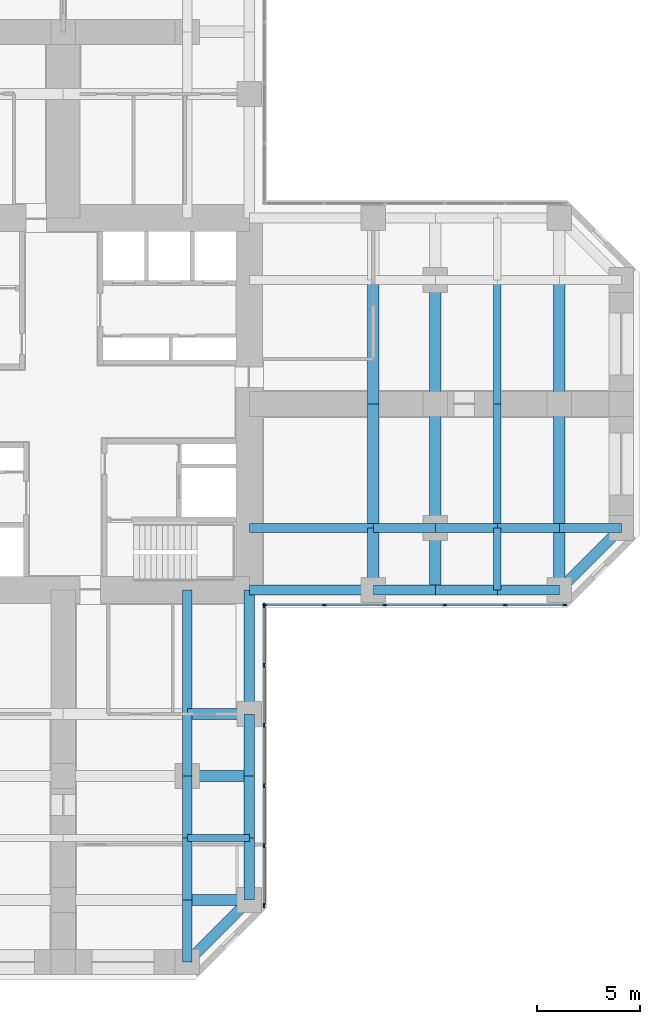
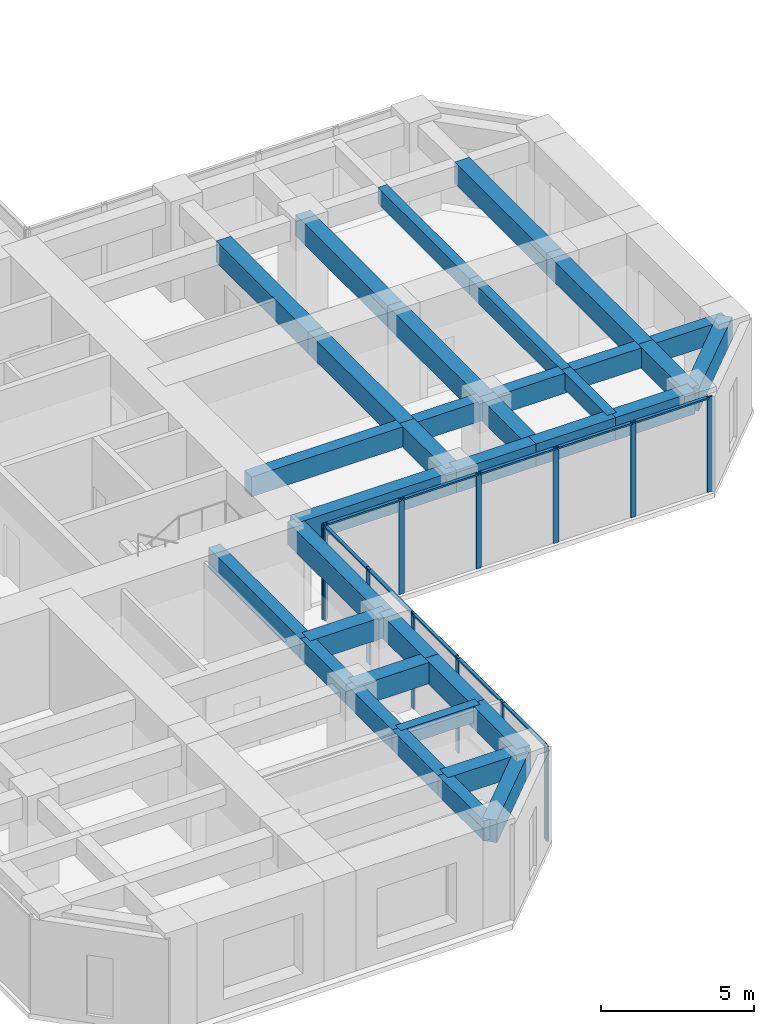
# One storey, part 4 of 12: 36 beams, 22 members, 2 elements without a shape of their own.
"""IFC4 building model written with IfcOpenShell, lengths in metres."""

from ifc_helpers import new_model, si_unit, direction, frame, origin, origin_2d, place, context, subcontext, project, spatial, rectangle, extrude, material, material_profile, profile_set, type_object, element, aggregate, save


model = new_model("IFC4")

# Units and contexts
model_context = context("Model", 3, precision=1e-05, world=origin(), true_north=direction((0.0, 1.0)))
body_context = subcontext(model_context, "Body", "Model", "MODEL_VIEW")
ifc_project = project(units=[si_unit("LENGTHUNIT", "METRE"), si_unit("AREAUNIT", "SQUARE_METRE"), si_unit("VOLUMEUNIT", "CUBIC_METRE"), si_unit("PLANEANGLEUNIT", "RADIAN"), si_unit("MASSUNIT", "GRAM", prefix="KILO")], contexts=[model_context])

# Site, building, storey
site_placement = place(None, origin())
site = spatial("IfcSite", under=ifc_project, at=site_placement, CompositionType="ELEMENT")
building_placement = place(site_placement, origin())
building = spatial("IfcBuilding", under=site, at=building_placement, Name="Torre Cruceta", CompositionType="ELEMENT")
storey_placement = place(building_placement, frame((0.0, 0.0, 71.5)))
storey = spatial("IfcBuildingStorey", under=building, at=storey_placement, Name="L17", CompositionType="ELEMENT", Elevation=71.5)

# Beams
ifc_material_1 = material(Name="Concrete G60 (fck 60 MPa)", Category="concrete")
ifc_material_profile_1 = material_profile(ifc_material_1, rectangle(XDim=0.449951171875, YDim=0.800048828125, at=origin_2d()), Name="RC 450X800")
ifc_profile_set_1 = profile_set([ifc_material_profile_1], Name="Concrete G60 (fck 60 MPa)")
beam_type_1 = type_object("IfcBeamType", Name="COLUMN LINE BEAM RC 450X800", PredefinedType="BEAM", material=ifc_profile_set_1)
beam_1_placement = place(storey_placement, frame((9.0, -6.0, 3.39990234375), z_axis=(1.0, 0.0, 0.0), x_axis=(0.0, 1.0, 0.0)))
element("IfcBeam", 1, at=beam_1_placement, inside=storey, type_object=beam_type_1, Name="LB1 L17 E col- 1", PredefinedType="BEAM", context=body_context, shape_type="SweptSolid", body=[
    extrude(rectangle(XDim=0.449951171875, YDim=0.800048828125, at=origin_2d()), origin(), (0.0, 0.0, 1.0), 6.0),
])
for number, where, z_axis, x_axis, name in (
    (2, (15.0, -6.0, 3.39990234375), (1.0, 0.0, 0.0), (0.0, 1.0, 0.0), "LB1 L17 E col- 2"),
    (3, (18.0, -6.0, 3.39990234375), (1.0, 0.0, 0.0), (0.0, 1.0, 0.0), "LB1 L17 E col- 3"),
    (4, (21.0, -6.0, 3.39990234375), (1.0, 0.0, 0.0), (0.0, 1.0, 0.0), "LB1 L17 E col- 4"),
    (5, (24.0, -6.0, 3.39990234375), (1.0, 0.0, 0.0), (0.0, 1.0, 0.0), "LB1 L17 E col- 5"),
):
    element("IfcBeam", number, at=place(storey_placement, frame(where, z_axis=z_axis, x_axis=x_axis)), inside=storey, type_object=beam_type_1, Name=name, PredefinedType="BEAM", context=body_context, shape_type="SweptSolid", body=[
        extrude(rectangle(XDim=0.449951171875, YDim=0.800048828125, at=origin_2d()), origin(), (0.0, 0.0, 1.0), 3.0),
    ])
beam_2_placement = place(storey_placement, frame((6.0, -9.0, 3.39990234375), z_axis=(0.0, -1.0, 0.0), x_axis=(1.0, 0.0, 0.0)))
element("IfcBeam", 6, at=beam_2_placement, inside=storey, type_object=beam_type_1, Name="LB1 L17 S col+ 1", PredefinedType="BEAM", context=body_context, shape_type="SweptSolid", body=[
    extrude(rectangle(XDim=0.449951171875, YDim=0.800048828125, at=origin_2d()), origin(), (0.0, 0.0, 1.0), 6.0),
])
for number, where, z_axis, x_axis, name in (
    (7, (6.0, -15.0, 3.39990234375), (0.0, -1.0, 0.0), (1.0, 0.0, 0.0), "LB1 L17 S col+ 2"),
    (8, (6.0, -18.0, 3.39990234375), (0.0, -1.0, 0.0), (1.0, 0.0, 0.0), "LB1 L17 S col+ 3"),
    (9, (6.0, -21.0, 3.39990234375), (0.0, -1.0, 0.0), (1.0, 0.0, 0.0), "LB1 L17 S col+ 4"),
    (10, (6.0, -24.0, 3.39990234375), (0.0, -1.0, 0.0), (1.0, 0.0, 0.0), "LB1 L17 S col+ 5"),
):
    element("IfcBeam", number, at=place(storey_placement, frame(where, z_axis=z_axis, x_axis=x_axis)), inside=storey, type_object=beam_type_1, Name=name, PredefinedType="BEAM", context=body_context, shape_type="SweptSolid", body=[
        extrude(rectangle(XDim=0.449951171875, YDim=0.800048828125, at=origin_2d()), origin(), (0.0, 0.0, 1.0), 3.0),
    ])
ifc_material_2 = material(Name="Concrete G60 (fck 60 MPa)", Category="concrete")
ifc_material_profile_2 = material_profile(ifc_material_2, rectangle(XDim=0.550048828125, YDim=0.85009765625, at=origin_2d()), Name="RC 550X850")
ifc_profile_set_2 = profile_set([ifc_material_profile_2], Name="Concrete G60 (fck 60 MPa)")
beam_type_2 = type_object("IfcBeamType", Name="CROSS BEAM RC 550X850", PredefinedType="BEAM", material=ifc_profile_set_2)
beam_3_placement = place(storey_placement, frame((15.0, -9.0, 3.375), z_axis=(0.0, 1.0, 0.0), x_axis=(-1.0, 0.0, 0.0)))
element("IfcBeam", 11, at=beam_3_placement, inside=storey, type_object=beam_type_2, Name="GB4 L17 E cross15 1", PredefinedType="BEAM", context=body_context, shape_type="SweptSolid", body=[
    extrude(rectangle(XDim=0.550048828125, YDim=0.85009765625, at=origin_2d()), origin(), (0.0, 0.0, 1.0), 3.0),
])
for number, where, z_axis, x_axis, name in (
    (12, (15.0, -6.0, 3.375), (0.0, 1.0, 0.0), (-1.0, 0.0, 0.0), "GB4 L17 E cross15 2"),
    (13, (15.0, 0.0, 3.375), (0.0, 1.0, 0.0), (-1.0, 0.0, 0.0), "GB4 L17 E cross15 3"),
):
    element("IfcBeam", number, at=place(storey_placement, frame(where, z_axis=z_axis, x_axis=x_axis)), inside=storey, type_object=beam_type_2, Name=name, PredefinedType="BEAM", context=body_context, shape_type="SweptSolid", body=[
        extrude(rectangle(XDim=0.550048828125, YDim=0.85009765625, at=origin_2d()), origin(), (0.0, 0.0, 1.0), 6.0),
    ])
beam_4_placement = place(storey_placement, frame((18.0, -9.0, 3.375), z_axis=(0.0, 1.0, 0.0), x_axis=(-1.0, 0.0, 0.0)))
element("IfcBeam", 14, at=beam_4_placement, inside=storey, type_object=beam_type_2, Name="GB4 L17 E cross18 1", PredefinedType="BEAM", context=body_context, shape_type="SweptSolid", body=[
    extrude(rectangle(XDim=0.550048828125, YDim=0.85009765625, at=origin_2d()), origin(), (0.0, 0.0, 1.0), 3.0),
])
for number, where, z_axis, x_axis, name in (
    (15, (18.0, -6.0, 3.375), (0.0, 1.0, 0.0), (-1.0, 0.0, 0.0), "GB4 L17 E cross18 2"),
    (16, (18.0, 0.0, 3.375), (0.0, 1.0, 0.0), (-1.0, 0.0, 0.0), "GB4 L17 E cross18 3"),
):
    element("IfcBeam", number, at=place(storey_placement, frame(where, z_axis=z_axis, x_axis=x_axis)), inside=storey, type_object=beam_type_2, Name=name, PredefinedType="BEAM", context=body_context, shape_type="SweptSolid", body=[
        extrude(rectangle(XDim=0.550048828125, YDim=0.85009765625, at=origin_2d()), origin(), (0.0, 0.0, 1.0), 6.0),
    ])
beam_5_placement = place(storey_placement, frame((24.0, -9.0, 3.375), z_axis=(0.0, 1.0, 0.0), x_axis=(-1.0, 0.0, 0.0)))
element("IfcBeam", 17, at=beam_5_placement, inside=storey, type_object=beam_type_2, Name="GB4 L17 E cross24 1", PredefinedType="BEAM", context=body_context, shape_type="SweptSolid", body=[
    extrude(rectangle(XDim=0.550048828125, YDim=0.85009765625, at=origin_2d()), origin(), (0.0, 0.0, 1.0), 3.0),
])
for number, where, z_axis, x_axis, name in (
    (18, (24.0, -6.0, 3.375), (0.0, 1.0, 0.0), (-1.0, 0.0, 0.0), "GB4 L17 E cross24 2"),
    (19, (24.0, 0.0, 3.375), (0.0, 1.0, 0.0), (-1.0, 0.0, 0.0), "GB4 L17 E cross24 3"),
):
    element("IfcBeam", number, at=place(storey_placement, frame(where, z_axis=z_axis, x_axis=x_axis)), inside=storey, type_object=beam_type_2, Name=name, PredefinedType="BEAM", context=body_context, shape_type="SweptSolid", body=[
        extrude(rectangle(XDim=0.550048828125, YDim=0.85009765625, at=origin_2d()), origin(), (0.0, 0.0, 1.0), 6.0),
    ])
for number, where, z_axis, x_axis, name in (
    (20, (6.0, -15.0, 3.375), (1.0, 0.0, 0.0), (0.0, 1.0, 0.0), "GB4 L17 S cross15 4"),
    (21, (6.0, -18.0, 3.375), (1.0, 0.0, 0.0), (0.0, 1.0, 0.0), "GB4 L17 S cross18 4"),
    (22, (6.0, -24.0, 3.375), (1.0, 0.0, 0.0), (0.0, 1.0, 0.0), "GB4 L17 S cross24 4"),
):
    element("IfcBeam", number, at=place(storey_placement, frame(where, z_axis=z_axis, x_axis=x_axis)), inside=storey, type_object=beam_type_2, Name=name, PredefinedType="BEAM", context=body_context, shape_type="SweptSolid", body=[
        extrude(rectangle(XDim=0.550048828125, YDim=0.85009765625, at=origin_2d()), origin(), (0.0, 0.0, 1.0), 3.0),
    ])

# Curtain wall, members
ifc_material_3 = material(Name="Aluminium unitised curtain wall", Category="aluminium")
curtain_wall_type = type_object("IfcCurtainWallType", Name="CURTAIN WALL CW-A OFFICE LOW RISE", PredefinedType="USERDEFINED", material=ifc_material_3)
curtain_wall_1_placement = place(storey_placement, origin())
curtain_wall_1 = element("IfcCurtainWall", 23, at=curtain_wall_1_placement, inside=storey, type_object=curtain_wall_type, Name="CW-A L17 E side 00", ObjectType="UNITISED", PredefinedType="USERDEFINED")
ifc_material_4 = material(Name="Aluminium mullion", Category="aluminium")
ifc_material_profile_3 = material_profile(ifc_material_4, rectangle(XDim=0.06494140625, YDim=0.199951171875, at=origin_2d()), Name="AL 65X200")
ifc_profile_set_3 = profile_set([ifc_material_profile_3], Name="Aluminium mullion")
member_type_1 = type_object("IfcMemberType", Name="CW-A MULLION 65X200", PredefinedType="MULLION", material=ifc_profile_set_3)
member_1_placement = place(storey_placement, frame((9.75244140625, -9.719970703125, 0.0), z_axis=(0.0, 0.0, 1.0), x_axis=(0.0, 1.0, 0.0)))
member_1 = element("IfcMember", 24, at=member_1_placement, type_object=member_type_1, Name="CW-A mullion 1", PredefinedType="MULLION", context=body_context, shape_type="SweptSolid", body=[
    extrude(rectangle(XDim=0.06494140625, YDim=0.199951171875, at=origin_2d()), origin(), (0.0, 0.0, 1.0), 3.800048828125),
])
member_2_placement = place(storey_placement, frame((12.6357421875, -9.719970703125, 0.0), z_axis=(0.0, 0.0, 1.0), x_axis=(0.0, 1.0, 0.0)))
member_2 = element("IfcMember", 25, at=member_2_placement, type_object=member_type_1, Name="CW-A mullion 2", PredefinedType="MULLION", context=body_context, shape_type="SweptSolid", body=[
    extrude(rectangle(XDim=0.06494140625, YDim=0.199951171875, at=origin_2d()), origin(), (0.0, 0.0, 1.0), 3.800048828125),
])
member_3_placement = place(storey_placement, frame((15.55126953125, -9.719970703125, 0.0), z_axis=(0.0, 0.0, 1.0), x_axis=(0.0, 1.0, 0.0)))
member_3 = element("IfcMember", 26, at=member_3_placement, type_object=member_type_1, Name="CW-A mullion 3", PredefinedType="MULLION", context=body_context, shape_type="SweptSolid", body=[
    extrude(rectangle(XDim=0.06494140625, YDim=0.199951171875, at=origin_2d()), origin(), (0.0, 0.0, 1.0), 3.800048828125),
])
member_4_placement = place(storey_placement, frame((18.467041015625, -9.719970703125, 0.0), z_axis=(0.0, 0.0, 1.0), x_axis=(0.0, 1.0, 0.0)))
member_4 = element("IfcMember", 27, at=member_4_placement, type_object=member_type_1, Name="CW-A mullion 4", PredefinedType="MULLION", context=body_context, shape_type="SweptSolid", body=[
    extrude(rectangle(XDim=0.06494140625, YDim=0.199951171875, at=origin_2d()), origin(), (0.0, 0.0, 1.0), 3.800048828125),
])
member_5_placement = place(storey_placement, frame((21.382568359375, -9.719970703125, 0.0), z_axis=(0.0, 0.0, 1.0), x_axis=(0.0, 1.0, 0.0)))
member_5 = element("IfcMember", 28, at=member_5_placement, type_object=member_type_1, Name="CW-A mullion 5", PredefinedType="MULLION", context=body_context, shape_type="SweptSolid", body=[
    extrude(rectangle(XDim=0.06494140625, YDim=0.199951171875, at=origin_2d()), origin(), (0.0, 0.0, 1.0), 3.800048828125),
])
member_6_placement = place(storey_placement, frame((24.265625, -9.719970703125, 0.0), z_axis=(0.0, 0.0, 1.0), x_axis=(0.0, 1.0, 0.0)))
member_6 = element("IfcMember", 29, at=member_6_placement, type_object=member_type_1, Name="CW-A mullion 6", PredefinedType="MULLION", context=body_context, shape_type="SweptSolid", body=[
    extrude(rectangle(XDim=0.06494140625, YDim=0.199951171875, at=origin_2d()), origin(), (0.0, 0.0, 1.0), 3.800048828125),
])

curtain_wall_2_placement = place(storey_placement, origin())
curtain_wall_2 = element("IfcCurtainWall", 30, at=curtain_wall_2_placement, inside=storey, type_object=curtain_wall_type, Name="CW-A L17 S side 19", ObjectType="UNITISED", PredefinedType="USERDEFINED")
member_7_placement = place(storey_placement, frame((9.719970703125, -24.265625, 0.0), z_axis=(0.0, 0.0, 1.0), x_axis=(-1.0, 0.0, 0.0)))
member_7 = element("IfcMember", 31, at=member_7_placement, type_object=member_type_1, Name="CW-A mullion 1", PredefinedType="MULLION", context=body_context, shape_type="SweptSolid", body=[
    extrude(rectangle(XDim=0.06494140625, YDim=0.199951171875, at=origin_2d()), origin(), (0.0, 0.0, 1.0), 3.800048828125),
])
member_8_placement = place(storey_placement, frame((9.719970703125, -21.382568359375, 0.0), z_axis=(0.0, 0.0, 1.0), x_axis=(-1.0, 0.0, 0.0)))
member_8 = element("IfcMember", 32, at=member_8_placement, type_object=member_type_1, Name="CW-A mullion 2", PredefinedType="MULLION", context=body_context, shape_type="SweptSolid", body=[
    extrude(rectangle(XDim=0.06494140625, YDim=0.199951171875, at=origin_2d()), origin(), (0.0, 0.0, 1.0), 3.800048828125),
])
member_9_placement = place(storey_placement, frame((9.719970703125, -18.467041015625, 0.0), z_axis=(0.0, 0.0, 1.0), x_axis=(-1.0, 0.0, 0.0)))
member_9 = element("IfcMember", 33, at=member_9_placement, type_object=member_type_1, Name="CW-A mullion 3", PredefinedType="MULLION", context=body_context, shape_type="SweptSolid", body=[
    extrude(rectangle(XDim=0.06494140625, YDim=0.199951171875, at=origin_2d()), origin(), (0.0, 0.0, 1.0), 3.800048828125),
])
member_10_placement = place(storey_placement, frame((9.719970703125, -15.55126953125, 0.0), z_axis=(0.0, 0.0, 1.0), x_axis=(-1.0, 0.0, 0.0)))
member_10 = element("IfcMember", 34, at=member_10_placement, type_object=member_type_1, Name="CW-A mullion 4", PredefinedType="MULLION", context=body_context, shape_type="SweptSolid", body=[
    extrude(rectangle(XDim=0.06494140625, YDim=0.199951171875, at=origin_2d()), origin(), (0.0, 0.0, 1.0), 3.800048828125),
])
member_11_placement = place(storey_placement, frame((9.719970703125, -12.6357421875, 0.0), z_axis=(0.0, 0.0, 1.0), x_axis=(-1.0, 0.0, 0.0)))
member_11 = element("IfcMember", 35, at=member_11_placement, type_object=member_type_1, Name="CW-A mullion 5", PredefinedType="MULLION", context=body_context, shape_type="SweptSolid", body=[
    extrude(rectangle(XDim=0.06494140625, YDim=0.199951171875, at=origin_2d()), origin(), (0.0, 0.0, 1.0), 3.800048828125),
])
member_12_placement = place(storey_placement, frame((9.719970703125, -9.75244140625, 0.0), z_axis=(0.0, 0.0, 1.0), x_axis=(-1.0, 0.0, 0.0)))
member_12 = element("IfcMember", 36, at=member_12_placement, type_object=member_type_1, Name="CW-A mullion 6", PredefinedType="MULLION", context=body_context, shape_type="SweptSolid", body=[
    extrude(rectangle(XDim=0.06494140625, YDim=0.199951171875, at=origin_2d()), origin(), (0.0, 0.0, 1.0), 3.800048828125),
])

# Member
ifc_material_5 = material(Name="Aluminium transom", Category="aluminium")
ifc_material_profile_4 = material_profile(ifc_material_5, rectangle(XDim=0.1201171875, YDim=0.06494140625, at=origin_2d()), Name="AL 120X65")
ifc_profile_set_4 = profile_set([ifc_material_profile_4], Name="Aluminium transom")
member_type_2 = type_object("IfcMemberType", Name="CW-A TRANSOM 65X120", PredefinedType="USERDEFINED", material=ifc_profile_set_4)
member_13_placement = place(storey_placement, frame((9.784912109375, -9.719970703125, 3.767578125), z_axis=(1.0, 0.0, 0.0), x_axis=(0.0, 1.0, 0.0)))
member_13 = element("IfcMember", 37, at=member_13_placement, type_object=member_type_2, Name="CW-A transom 1", ObjectType="TRANSOM", PredefinedType="USERDEFINED", context=body_context, shape_type="SweptSolid", body=[
    extrude(rectangle(XDim=0.1201171875, YDim=0.06494140625, at=origin_2d()), origin(), (0.0, 0.0, 1.0), 2.818115234375),
])

member_14_placement = place(storey_placement, frame((12.668212890625, -9.719970703125, 3.767578125), z_axis=(1.0, 0.0, 0.0), x_axis=(0.0, 1.0, 0.0)))
member_14 = element("IfcMember", 38, at=member_14_placement, type_object=member_type_2, Name="CW-A transom 2", ObjectType="TRANSOM", PredefinedType="USERDEFINED", context=body_context, shape_type="SweptSolid", body=[
    extrude(rectangle(XDim=0.1201171875, YDim=0.06494140625, at=origin_2d()), origin(), (0.0, 0.0, 1.0), 2.8505859375),
])

member_15_placement = place(storey_placement, frame((15.583740234375, -9.719970703125, 3.767578125), z_axis=(1.0, 0.0, 0.0), x_axis=(0.0, 1.0, 0.0)))
member_15 = element("IfcMember", 39, at=member_15_placement, type_object=member_type_2, Name="CW-A transom 3", ObjectType="TRANSOM", PredefinedType="USERDEFINED", context=body_context, shape_type="SweptSolid", body=[
    extrude(rectangle(XDim=0.1201171875, YDim=0.06494140625, at=origin_2d()), origin(), (0.0, 0.0, 1.0), 2.8505859375),
])

member_16_placement = place(storey_placement, frame((18.49951171875, -9.719970703125, 3.767578125), z_axis=(1.0, 0.0, 0.0), x_axis=(0.0, 1.0, 0.0)))
member_16 = element("IfcMember", 40, at=member_16_placement, type_object=member_type_2, Name="CW-A transom 4", ObjectType="TRANSOM", PredefinedType="USERDEFINED", context=body_context, shape_type="SweptSolid", body=[
    extrude(rectangle(XDim=0.1201171875, YDim=0.06494140625, at=origin_2d()), origin(), (0.0, 0.0, 1.0), 2.8505859375),
])

member_17_placement = place(storey_placement, frame((21.4150390625, -9.719970703125, 3.767578125), z_axis=(1.0, 0.0, 0.0), x_axis=(0.0, 1.0, 0.0)))
member_17 = element("IfcMember", 41, at=member_17_placement, type_object=member_type_2, Name="CW-A transom 5", ObjectType="TRANSOM", PredefinedType="USERDEFINED", context=body_context, shape_type="SweptSolid", body=[
    extrude(rectangle(XDim=0.1201171875, YDim=0.06494140625, at=origin_2d()), origin(), (0.0, 0.0, 1.0), 2.818115234375),
])

aggregate(curtain_wall_1, [member_1, member_2, member_3, member_4, member_5, member_6, member_13, member_14, member_15, member_16, member_17])

member_18_placement = place(storey_placement, frame((9.719970703125, -24.233154296875, 3.767578125), z_axis=(0.0, 1.0, 0.0), x_axis=(-1.0, 0.0, 0.0)))
member_18 = element("IfcMember", 42, at=member_18_placement, type_object=member_type_2, Name="CW-A transom 1", ObjectType="TRANSOM", PredefinedType="USERDEFINED", context=body_context, shape_type="SweptSolid", body=[
    extrude(rectangle(XDim=0.1201171875, YDim=0.06494140625, at=origin_2d()), origin(), (0.0, 0.0, 1.0), 2.818115234375),
])

member_19_placement = place(storey_placement, frame((9.719970703125, -21.35009765625, 3.767578125), z_axis=(0.0, 1.0, 0.0), x_axis=(-1.0, 0.0, 0.0)))
member_19 = element("IfcMember", 43, at=member_19_placement, type_object=member_type_2, Name="CW-A transom 2", ObjectType="TRANSOM", PredefinedType="USERDEFINED", context=body_context, shape_type="SweptSolid", body=[
    extrude(rectangle(XDim=0.1201171875, YDim=0.06494140625, at=origin_2d()), origin(), (0.0, 0.0, 1.0), 2.8505859375),
])

member_20_placement = place(storey_placement, frame((9.719970703125, -18.434326171875, 3.767578125), z_axis=(0.0, 1.0, 0.0), x_axis=(-1.0, 0.0, 0.0)))
member_20 = element("IfcMember", 44, at=member_20_placement, type_object=member_type_2, Name="CW-A transom 3", ObjectType="TRANSOM", PredefinedType="USERDEFINED", context=body_context, shape_type="SweptSolid", body=[
    extrude(rectangle(XDim=0.1201171875, YDim=0.06494140625, at=origin_2d()), origin(), (0.0, 0.0, 1.0), 2.8505859375),
])

member_21_placement = place(storey_placement, frame((9.719970703125, -15.518798828125, 3.767578125), z_axis=(0.0, 1.0, 0.0), x_axis=(-1.0, 0.0, 0.0)))
member_21 = element("IfcMember", 45, at=member_21_placement, type_object=member_type_2, Name="CW-A transom 4", ObjectType="TRANSOM", PredefinedType="USERDEFINED", context=body_context, shape_type="SweptSolid", body=[
    extrude(rectangle(XDim=0.1201171875, YDim=0.06494140625, at=origin_2d()), origin(), (0.0, 0.0, 1.0), 2.8505859375),
])

member_22_placement = place(storey_placement, frame((9.719970703125, -12.60302734375, 3.767578125), z_axis=(0.0, 1.0, 0.0), x_axis=(-1.0, 0.0, 0.0)))
member_22 = element("IfcMember", 46, at=member_22_placement, type_object=member_type_2, Name="CW-A transom 5", ObjectType="TRANSOM", PredefinedType="USERDEFINED", context=body_context, shape_type="SweptSolid", body=[
    extrude(rectangle(XDim=0.1201171875, YDim=0.06494140625, at=origin_2d()), origin(), (0.0, 0.0, 1.0), 2.818115234375),
])

aggregate(curtain_wall_2, [member_7, member_8, member_9, member_10, member_11, member_12, member_18, member_19, member_20, member_21, member_22])

# Beams
ifc_material_6 = material(Name="Concrete G60 (fck 60 MPa)", Category="concrete")
ifc_material_profile_5 = material_profile(ifc_material_6, rectangle(XDim=0.35009765625, YDim=0.64990234375, at=origin_2d()), Name="RC 350X650")
ifc_profile_set_5 = profile_set([ifc_material_profile_5], Name="Concrete G60 (fck 60 MPa)")
beam_type_3 = type_object("IfcBeamType", Name="SECONDARY BEAM RC 350X650", PredefinedType="JOIST", material=ifc_profile_set_5)
beam_6_placement = place(storey_placement, frame((21.0, -9.0, 3.47509765625), z_axis=(0.0, 1.0, 0.0), x_axis=(-1.0, 0.0, 0.0)))
element("IfcBeam", 47, at=beam_6_placement, inside=storey, type_object=beam_type_3, Name="JB3 L17 E sec21 1", PredefinedType="JOIST", context=body_context, shape_type="SweptSolid", body=[
    extrude(rectangle(XDim=0.35009765625, YDim=0.64990234375, at=origin_2d()), origin(), (0.0, 0.0, 1.0), 3.0),
])
for number, where, z_axis, x_axis, name in (
    (48, (21.0, -6.0, 3.47509765625), (0.0, 1.0, 0.0), (-1.0, 0.0, 0.0), "JB3 L17 E sec21 2"),
    (49, (21.0, 0.0, 3.47509765625), (0.0, 1.0, 0.0), (-1.0, 0.0, 0.0), "JB3 L17 E sec21 3"),
):
    element("IfcBeam", number, at=place(storey_placement, frame(where, z_axis=z_axis, x_axis=x_axis)), inside=storey, type_object=beam_type_3, Name=name, PredefinedType="JOIST", context=body_context, shape_type="SweptSolid", body=[
        extrude(rectangle(XDim=0.35009765625, YDim=0.64990234375, at=origin_2d()), origin(), (0.0, 0.0, 1.0), 6.0),
    ])
beam_7_placement = place(storey_placement, frame((6.0, -21.0, 3.47509765625), z_axis=(1.0, 0.0, 0.0), x_axis=(0.0, 1.0, 0.0)))
element("IfcBeam", 50, at=beam_7_placement, inside=storey, type_object=beam_type_3, Name="JB3 L17 S sec21 4", PredefinedType="JOIST", context=body_context, shape_type="SweptSolid", body=[
    extrude(rectangle(XDim=0.35009765625, YDim=0.64990234375, at=origin_2d()), origin(), (0.0, 0.0, 1.0), 3.0),
])
ifc_material_7 = material(Name="Concrete G60 (fck 60 MPa)", Category="concrete")
ifc_material_profile_6 = material_profile(ifc_material_7, rectangle(XDim=0.5, YDim=0.89990234375, at=origin_2d()), Name="RC 500X900")
ifc_profile_set_6 = profile_set([ifc_material_profile_6], Name="Concrete G60 (fck 60 MPa)")
beam_type_4 = type_object("IfcBeamType", Name="SPANDREL BEAM RC 500X900", PredefinedType="SPANDREL", material=ifc_profile_set_6)
beam_8_placement = place(storey_placement, frame((9.0, -9.0, 3.35009765625), z_axis=(1.0, 0.0, 0.0), x_axis=(0.0, 1.0, 0.0)))
element("IfcBeam", 51, at=beam_8_placement, inside=storey, type_object=beam_type_4, Name="SB4 L17 E side- 1", PredefinedType="SPANDREL", context=body_context, shape_type="SweptSolid", body=[
    extrude(rectangle(XDim=0.5, YDim=0.89990234375, at=origin_2d()), origin(), (0.0, 0.0, 1.0), 6.0),
])
for number, where, z_axis, x_axis, name in (
    (52, (15.0, -9.0, 3.35009765625), (1.0, 0.0, 0.0), (0.0, 1.0, 0.0), "SB4 L17 E side- 2"),
    (53, (18.0, -9.0, 3.35009765625), (1.0, 0.0, 0.0), (0.0, 1.0, 0.0), "SB4 L17 E side- 3"),
    (54, (21.0, -9.0, 3.35009765625), (1.0, 0.0, 0.0), (0.0, 1.0, 0.0), "SB4 L17 E side- 4"),
):
    element("IfcBeam", number, at=place(storey_placement, frame(where, z_axis=z_axis, x_axis=x_axis)), inside=storey, type_object=beam_type_4, Name=name, PredefinedType="SPANDREL", context=body_context, shape_type="SweptSolid", body=[
        extrude(rectangle(XDim=0.5, YDim=0.89990234375, at=origin_2d()), origin(), (0.0, 0.0, 1.0), 3.0),
    ])
beam_9_placement = place(storey_placement, frame((24.0, -9.0, 3.35009765625), z_axis=(0.707106781187, 0.707106781187, 0.0), x_axis=(-0.707106781187, 0.707106781187, 0.0)))
element("IfcBeam", 55, at=beam_9_placement, inside=storey, type_object=beam_type_4, Name="SB4 L17 E side- 5", PredefinedType="SPANDREL", context=body_context, shape_type="SweptSolid", body=[
    extrude(rectangle(XDim=0.5, YDim=0.89990234375, at=origin_2d()), origin(), (0.0, 0.0, 1.0), 4.24267578125),
])
beam_10_placement = place(storey_placement, frame((9.0, -9.0, 3.35009765625), z_axis=(0.0, -1.0, 0.0), x_axis=(1.0, 0.0, 0.0)))
element("IfcBeam", 56, at=beam_10_placement, inside=storey, type_object=beam_type_4, Name="SB4 L17 S side+ 1", PredefinedType="SPANDREL", context=body_context, shape_type="SweptSolid", body=[
    extrude(rectangle(XDim=0.5, YDim=0.89990234375, at=origin_2d()), origin(), (0.0, 0.0, 1.0), 6.0),
])
for number, where, z_axis, x_axis, name in (
    (57, (9.0, -15.0, 3.35009765625), (0.0, -1.0, 0.0), (1.0, 0.0, 0.0), "SB4 L17 S side+ 2"),
    (58, (9.0, -18.0, 3.35009765625), (0.0, -1.0, 0.0), (1.0, 0.0, 0.0), "SB4 L17 S side+ 3"),
    (59, (9.0, -21.0, 3.35009765625), (0.0, -1.0, 0.0), (1.0, 0.0, 0.0), "SB4 L17 S side+ 4"),
):
    element("IfcBeam", number, at=place(storey_placement, frame(where, z_axis=z_axis, x_axis=x_axis)), inside=storey, type_object=beam_type_4, Name=name, PredefinedType="SPANDREL", context=body_context, shape_type="SweptSolid", body=[
        extrude(rectangle(XDim=0.5, YDim=0.89990234375, at=origin_2d()), origin(), (0.0, 0.0, 1.0), 3.0),
    ])
beam_11_placement = place(storey_placement, frame((9.0, -24.0, 3.35009765625), z_axis=(-0.707106781187, -0.707106781187, 0.0), x_axis=(0.707106781187, -0.707106781187, 0.0)))
element("IfcBeam", 60, at=beam_11_placement, inside=storey, type_object=beam_type_4, Name="SB4 L17 S side+ 5", PredefinedType="SPANDREL", context=body_context, shape_type="SweptSolid", body=[
    extrude(rectangle(XDim=0.5, YDim=0.89990234375, at=origin_2d()), origin(), (0.0, 0.0, 1.0), 4.24267578125),
])

save(model, "model.ifc")
